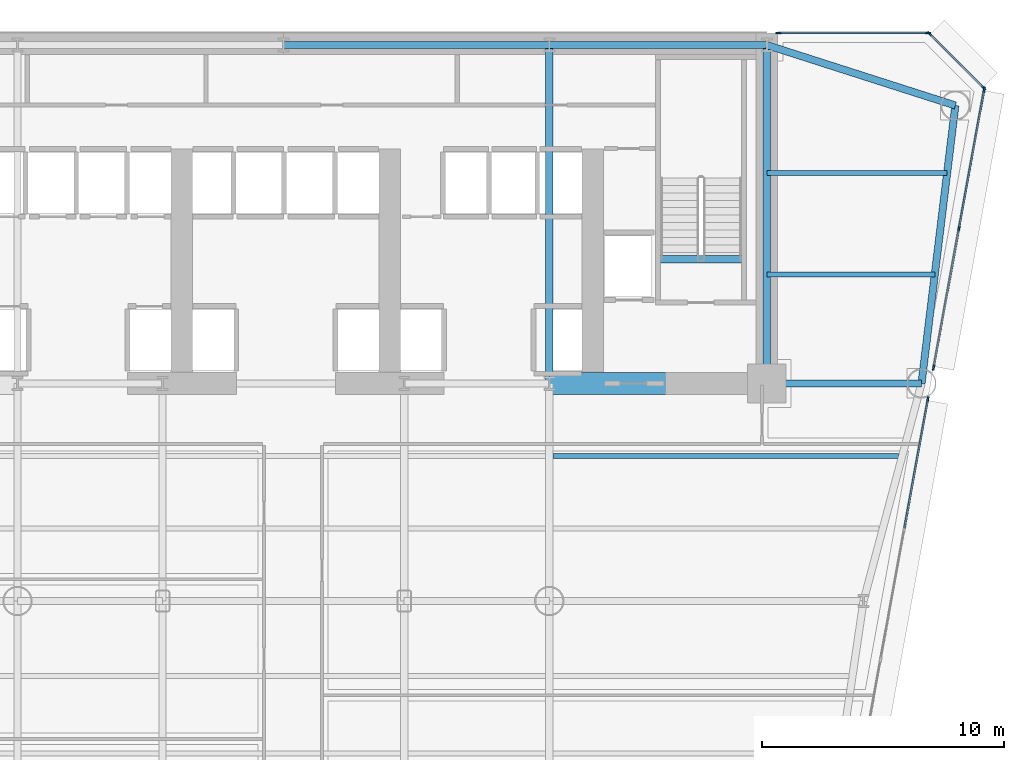
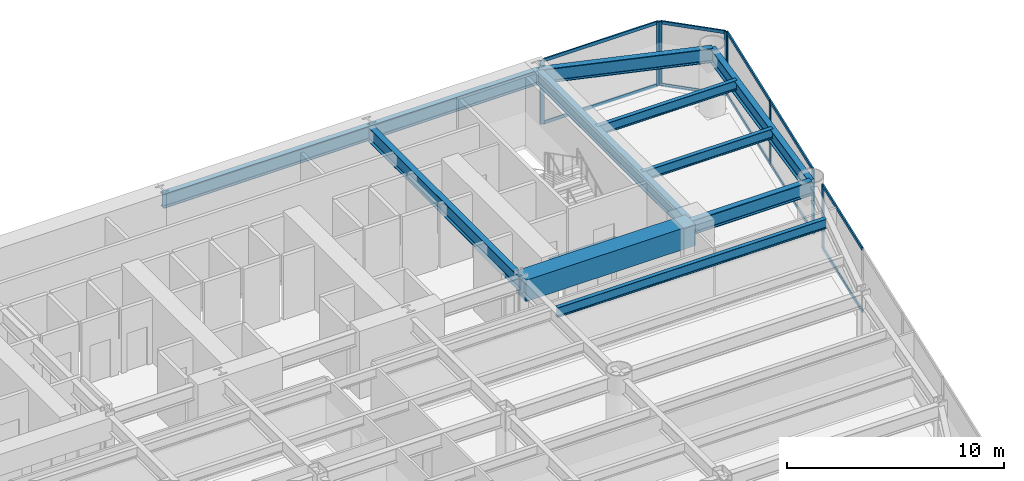
# One storey, part 6 of 14: 18 members, 12 beams, 4 elements without a shape of their own.
"""IFC4 building model written with IfcOpenShell, lengths in metres."""

from ifc_helpers import new_model, si_unit, direction, frame, origin, origin_2d, place, context, subcontext, project, spatial, rectangle, i_section, extrude, source, transform, mapped, material, layer, layer_set, material_profile, profile_set, type_object, element, aggregate, save


model = new_model("IFC4")

# Units and contexts
model_context = context("Model", 3, precision=1e-05, world=origin(), true_north=direction((0.0, 1.0)))
body_context = subcontext(model_context, "Body", "Model", "MODEL_VIEW")
ifc_project = project(units=[si_unit("LENGTHUNIT", "METRE"), si_unit("AREAUNIT", "SQUARE_METRE"), si_unit("VOLUMEUNIT", "CUBIC_METRE"), si_unit("PLANEANGLEUNIT", "RADIAN"), si_unit("MASSUNIT", "GRAM", prefix="KILO")], contexts=[model_context])

# Site, building, storey
site_placement = place(None, origin())
site = spatial("IfcSite", under=ifc_project, at=site_placement, CompositionType="ELEMENT")
building_placement = place(site_placement, origin())
building = spatial("IfcBuilding", under=site, at=building_placement, Name="Vaeldorn Concourse Tower", CompositionType="ELEMENT")
storey_placement = place(building_placement, frame((0.0, 0.0, 37.800048828125)))
storey = spatial("IfcBuildingStorey", under=building, at=storey_placement, Name="L09", CompositionType="ELEMENT", Elevation=37.800048828125)

# Beams
ifc_material_1 = material(Name="Concrete C60/75", Category="concrete")
ifc_material_profile_1 = material_profile(ifc_material_1, rectangle(XDim=0.89990234375, YDim=1.199951171875, at=origin_2d()), Name="RC 900x1200")
ifc_profile_set_1 = profile_set([ifc_material_profile_1], Name="Concrete C60/75")
beam_type_1 = type_object("IfcBeamType", Name="BM-CB-RC900", PredefinedType="BEAM", material=ifc_profile_set_1)
shared_shape_1 = source(origin(), body_context, "Body", "SweptSolid", [
    extrude(rectangle(XDim=0.89990234375, YDim=1.199951171875, at=origin_2d()), origin(), (0.0, 0.0, 1.0), 9.0),
])
beam_1_placement = place(storey_placement, frame((45.0, 36.5, 2.97998046875), z_axis=(1.0, 0.0, 0.0), x_axis=(0.0, 1.0, 0.0)))
element("IfcBeam", 1, at=beam_1_placement, inside=storey, type_object=beam_type_1, Name="Core Coupling Beam L09-2", PredefinedType="BEAM", context=body_context, shape_type="MappedRepresentation", body=[
    mapped(shared_shape_1, transform((0.0, 0.0, 0.0), scale=1.0)),
])
ifc_material_2 = material(Name="Steel S355", Category="steel")
ifc_material_profile_2 = material_profile(ifc_material_2, i_section(OverallWidth=0.300048828125, OverallDepth=0.340087890625, WebThickness=0.011962890625, FlangeThickness=0.021484375, FilletRadius=0.027099609375, at=origin_2d()), Name="HEB 340")
ifc_profile_set_2 = profile_set([ifc_material_profile_2], Name="Steel S355")
beam_type_2 = type_object("IfcBeamType", Name="BM-ST-TRIM", PredefinedType="BEAM", material=ifc_profile_set_2)
shared_shape_2 = source(origin(), body_context, "Body", "SweptSolid", [
    extrude(i_section(OverallWidth=0.300048828125, OverallDepth=0.340087890625, WebThickness=0.011962890625, FlangeThickness=0.021484375, FilletRadius=0.027099609375, at=origin_2d()), origin(), (0.0, 0.0, 1.0), 3.590087890625),
])
beam_2_placement = place(storey_placement, frame((49.47998046875, 41.639892578125, -0.39013671875), z_axis=(1.0, 0.0, 0.0), x_axis=(0.0, 1.0, 0.0)))
element("IfcBeam", 2, at=beam_2_placement, inside=storey, type_object=beam_type_2, Name="Stair Landing Trimmer Beam ST-2 L09", PredefinedType="BEAM", context=body_context, shape_type="MappedRepresentation", body=[
    mapped(shared_shape_2, transform((0.0, 0.0, 0.0), scale=1.0)),
])
ifc_material_profile_3 = material_profile(ifc_material_2, i_section(OverallWidth=0.300048828125, OverallDepth=0.800048828125, WebThickness=0.017578125, FlangeThickness=0.032958984375, FilletRadius=0.030029296875, at=origin_2d()), Name="HEB 800")
ifc_profile_set_3 = profile_set([ifc_material_profile_3], Name="Steel S355")
beam_type_3 = type_object("IfcBeamType", Name="BM-PG-HEB800", PredefinedType="BEAM", material=ifc_profile_set_3)
shared_shape_3 = source(origin(), body_context, "Body", "SweptSolid", [
    extrude(i_section(OverallWidth=0.300048828125, OverallDepth=0.800048828125, WebThickness=0.017578125, FlangeThickness=0.032958984375, FilletRadius=0.030029296875, at=origin_2d()), origin(), (0.0, 0.0, 1.0), 9.0),
])
beam_3_placement = place(storey_placement, frame((45.0, 50.5, 3.179931640625), z_axis=(1.0, 0.0, 0.0), x_axis=(0.0, 1.0, 0.0)))
element("IfcBeam", 3, at=beam_3_placement, inside=storey, type_object=beam_type_3, Name="Beam BM-L09-C-HC4-C-HC5", PredefinedType="BEAM", context=body_context, shape_type="MappedRepresentation", body=[
    mapped(shared_shape_3, transform((0.0, 0.0, 0.0), scale=1.0)),
])
shared_shape_4 = source(origin(), body_context, "Body", "SweptSolid", [
    extrude(i_section(OverallWidth=0.300048828125, OverallDepth=0.800048828125, WebThickness=0.017578125, FlangeThickness=0.032958984375, FilletRadius=0.030029296875, at=origin_2d()), origin(), (0.0, 0.0, 1.0), 11.0),
])
beam_4_placement = place(storey_placement, frame((34.0, 50.5, 3.179931640625), z_axis=(1.0, 0.0, 0.0), x_axis=(0.0, 1.0, 0.0)))
element("IfcBeam", 4, at=beam_4_placement, inside=storey, type_object=beam_type_3, Name="Beam BM-L09-C-HC3-C-HC4", PredefinedType="BEAM", context=body_context, shape_type="MappedRepresentation", body=[
    mapped(shared_shape_4, transform((0.0, 0.0, 0.0), scale=1.0)),
])
shared_shape_5 = source(origin(), body_context, "Body", "SweptSolid", [
    extrude(i_section(OverallWidth=0.300048828125, OverallDepth=0.800048828125, WebThickness=0.017578125, FlangeThickness=0.032958984375, FilletRadius=0.030029296875, at=origin_2d()), origin(), (0.0, 0.0, 1.0), 14.0),
])
for number, where, z_axis, x_axis, name in (
    (5, (45.0, 36.5, 3.179931640625), (0.0, 1.0, 0.0), (-1.0, 0.0, 0.0), "Beam BM-L09-C-FC5-C-HC4"),
    (6, (54.0, 36.5, 3.179931640625), (0.0, 1.0, 0.0), (-1.0, 0.0, 0.0), "Beam BM-L09-C-FC6-C-HC5"),
):
    element("IfcBeam", number, at=place(storey_placement, frame(where, z_axis=z_axis, x_axis=x_axis)), inside=storey, type_object=beam_type_3, Name=name, PredefinedType="BEAM", context=body_context, shape_type="MappedRepresentation", body=[
        mapped(shared_shape_5, transform((0.0, 0.0, 0.0), scale=1.0)),
    ])
shared_shape_6 = source(origin(), body_context, "Body", "SweptSolid", [
    extrude(i_section(OverallWidth=0.300048828125, OverallDepth=0.800048828125, WebThickness=0.017578125, FlangeThickness=0.032958984375, FilletRadius=0.030029296875, at=origin_2d()), origin(), (0.0, 0.0, 1.0), 8.19091796875),
])
beam_5_placement = place(storey_placement, frame((54.0, 50.5, 3.179931640625), z_axis=(0.952282843383, -0.305216949396, 0.0), x_axis=(0.305216949396, 0.952282843383, 0.0)))
element("IfcBeam", 7, at=beam_5_placement, inside=storey, type_object=beam_type_3, Name="Beam BM-L09-C-HC5-C-NE1", PredefinedType="BEAM", context=body_context, shape_type="MappedRepresentation", body=[
    mapped(shared_shape_6, transform((0.0, 0.0, 0.0), scale=1.0)),
])
shared_shape_7 = source(origin(), body_context, "Body", "SweptSolid", [
    extrude(i_section(OverallWidth=0.300048828125, OverallDepth=0.800048828125, WebThickness=0.017578125, FlangeThickness=0.032958984375, FilletRadius=0.030029296875, at=origin_2d()), origin(), (0.0, 0.0, 1.0), 11.5849609375),
])
beam_6_placement = place(storey_placement, frame((61.800048828125, 48.0, 3.179931640625), z_axis=(-0.120859382899, -0.992669637677, 0.0), x_axis=(0.992669637677, -0.120859382899, 0.0)))
element("IfcBeam", 8, at=beam_6_placement, inside=storey, type_object=beam_type_3, Name="Beam BM-L09-C-NE1-C-NE2", PredefinedType="BEAM", context=body_context, shape_type="MappedRepresentation", body=[
    mapped(shared_shape_7, transform((0.0, 0.0, 0.0), scale=1.0)),
])
shared_shape_8 = source(origin(), body_context, "Body", "SweptSolid", [
    extrude(i_section(OverallWidth=0.300048828125, OverallDepth=0.800048828125, WebThickness=0.017578125, FlangeThickness=0.032958984375, FilletRadius=0.030029296875, at=origin_2d()), origin(), (0.0, 0.0, 1.0), 6.39990234375),
])
beam_7_placement = place(storey_placement, frame((54.0, 36.5, 3.179931640625), z_axis=(1.0, 0.0, 0.0), x_axis=(0.0, 1.0, 0.0)))
element("IfcBeam", 9, at=beam_7_placement, inside=storey, type_object=beam_type_3, Name="Beam BM-L09-C-FC6-C-NE2", PredefinedType="BEAM", context=body_context, shape_type="MappedRepresentation", body=[
    mapped(shared_shape_8, transform((0.0, 0.0, 0.0), scale=1.0)),
])
ifc_material_profile_4 = material_profile(ifc_material_2, i_section(OverallWidth=0.2099609375, OverallDepth=0.550048828125, WebThickness=0.010986328125, FlangeThickness=0.01708984375, FilletRadius=0.02392578125, at=origin_2d()), Name="IPE 550")
ifc_profile_set_4 = profile_set([ifc_material_profile_4], Name="Steel S355")
beam_type_4 = type_object("IfcBeamType", Name="BM-JS-IPE550", PredefinedType="JOIST", material=ifc_profile_set_4)
shared_shape_9 = source(origin(), body_context, "Body", "SweptSolid", [
    extrude(i_section(OverallWidth=0.2099609375, OverallDepth=0.550048828125, WebThickness=0.010986328125, FlangeThickness=0.01708984375, FilletRadius=0.02392578125, at=origin_2d()), origin(), (0.0, 0.0, 1.0), 14.300048828125),
])
beam_8_placement = place(storey_placement, frame((45.14990234375, 33.5, 3.304931640625), z_axis=(1.0, 0.0, 0.0), x_axis=(0.0, 1.0, 0.0)))
element("IfcBeam", 10, at=beam_8_placement, inside=storey, type_object=beam_type_4, Name="Beam JS-L09-E1-335", PredefinedType="JOIST", context=body_context, shape_type="MappedRepresentation", body=[
    mapped(shared_shape_9, transform((0.0, 0.0, 0.0), scale=1.0)),
])
shared_shape_10 = source(origin(), body_context, "Body", "SweptSolid", [
    extrude(i_section(OverallWidth=0.2099609375, OverallDepth=0.550048828125, WebThickness=0.010986328125, FlangeThickness=0.01708984375, FilletRadius=0.02392578125, at=origin_2d()), origin(), (0.0, 0.0, 1.0), 6.94775390625),
])
beam_9_placement = place(storey_placement, frame((54.0, 41.0, 3.304931640625), z_axis=(1.0, 0.0, 0.0), x_axis=(0.0, 1.0, 0.0)))
element("IfcBeam", 11, at=beam_9_placement, inside=storey, type_object=beam_type_4, Name="Beam JS-L09-NE-410", PredefinedType="JOIST", context=body_context, shape_type="MappedRepresentation", body=[
    mapped(shared_shape_10, transform((0.0, 0.0, 0.0), scale=1.0)),
])
shared_shape_11 = source(origin(), body_context, "Body", "SweptSolid", [
    extrude(i_section(OverallWidth=0.2099609375, OverallDepth=0.550048828125, WebThickness=0.010986328125, FlangeThickness=0.01708984375, FilletRadius=0.02392578125, at=origin_2d()), origin(), (0.0, 0.0, 1.0), 7.458984375),
])
beam_10_placement = place(storey_placement, frame((54.0, 45.199951171875, 3.304931640625), z_axis=(1.0, 0.0, 0.0), x_axis=(0.0, 1.0, 0.0)))
element("IfcBeam", 12, at=beam_10_placement, inside=storey, type_object=beam_type_4, Name="Beam JS-L09-NE-452", PredefinedType="JOIST", context=body_context, shape_type="MappedRepresentation", body=[
    mapped(shared_shape_11, transform((0.0, 0.0, 0.0), scale=1.0)),
])

# Curtain wall, member
ifc_material_3 = material(Name="Anodised Bronze Aluminium", Category="aluminium")
ifc_layer = layer(ifc_material_3, 0.219970703125)
ifc_layer_set = layer_set([ifc_layer], Name="Anodised Bronze Aluminium")
curtain_wall_type = type_object("IfcCurtainWallType", Name="CW-SYS-01", PredefinedType="NOTDEFINED", material=ifc_layer_set)
curtain_wall_1_placement = place(storey_placement, origin())
curtain_wall_1 = element("IfcCurtainWall", 13, at=curtain_wall_1_placement, inside=storey, type_object=curtain_wall_type, Name="Unitised Curtain Wall CW-L09-E07-1", PredefinedType="NOTDEFINED")
ifc_material_profile_5 = material_profile(ifc_material_3, rectangle(XDim=0.074951171875, YDim=0.219970703125, at=origin_2d()), Name="CWM 75x220")
ifc_profile_set_5 = profile_set([ifc_material_profile_5], Name="Anodised Bronze Aluminium")
member_type_1 = type_object("IfcMemberType", Name="CWM-BRONZE-220", PredefinedType="MULLION", material=ifc_profile_set_5)
shared_shape_12 = source(origin(), body_context, "Body", "SweptSolid", [
    extrude(rectangle(XDim=0.074951171875, YDim=0.219970703125, at=origin_2d()), origin(), (0.0, 0.0, 1.0), 3.579833984375),
])
member_1_placement = place(storey_placement, frame((60.662841796875, 35.843505859375, 0.0), z_axis=(0.0, 0.0, 1.0), x_axis=(-0.98387472201, 0.178858970673, 0.0)))
member_1 = element("IfcMember", 14, at=member_1_placement, type_object=member_type_1, Name="CW-01 mullion 7", PredefinedType="MULLION", context=body_context, shape_type="MappedRepresentation", body=[
    mapped(shared_shape_12, transform((0.0, 0.0, 0.0), scale=1.0)),
])

# Curtain wall, members
curtain_wall_2_placement = place(storey_placement, origin())
curtain_wall_2 = element("IfcCurtainWall", 15, at=curtain_wall_2_placement, inside=storey, type_object=curtain_wall_type, Name="Unitised Curtain Wall CW-L09-E07-2", PredefinedType="NOTDEFINED")
member_2_placement = place(storey_placement, frame((60.901611328125, 37.156494140625, 0.0), z_axis=(0.0, 0.0, 1.0), x_axis=(-0.983875075235, 0.178857027626, 0.0)))
member_2 = element("IfcMember", 16, at=member_2_placement, type_object=member_type_1, Name="CW-01 mullion 1", PredefinedType="MULLION", context=body_context, shape_type="MappedRepresentation", body=[
    mapped(shared_shape_12, transform((0.0, 0.0, 0.0), scale=1.0)),
])
member_3_placement = place(storey_placement, frame((61.947509765625, 42.90966796875, 0.0), z_axis=(0.0, 0.0, 1.0), x_axis=(-0.983875075235, 0.178857027626, 0.0)))
member_3 = element("IfcMember", 17, at=member_3_placement, type_object=member_type_1, Name="CW-01 mullion 2", PredefinedType="MULLION", context=body_context, shape_type="MappedRepresentation", body=[
    mapped(shared_shape_12, transform((0.0, 0.0, 0.0), scale=1.0)),
])
member_4_placement = place(storey_placement, frame((62.993408203125, 48.6630859375, 0.0), z_axis=(0.0, 0.0, 1.0), x_axis=(-0.983875075235, 0.178857027626, 0.0)))
member_4 = element("IfcMember", 18, at=member_4_placement, type_object=member_type_1, Name="CW-01 mullion 3", PredefinedType="MULLION", context=body_context, shape_type="MappedRepresentation", body=[
    mapped(shared_shape_12, transform((0.0, 0.0, 0.0), scale=1.0)),
])

curtain_wall_3_placement = place(storey_placement, origin())
curtain_wall_3 = element("IfcCurtainWall", 19, at=curtain_wall_3_placement, inside=storey, type_object=curtain_wall_type, Name="Unitised Curtain Wall CW-L09-E08-1", PredefinedType="NOTDEFINED")
member_5_placement = place(storey_placement, frame((62.973388671875, 48.7265625, 0.0), z_axis=(0.0, 0.0, 1.0), x_axis=(-0.707106781187, -0.707106781187, 0.0)))
member_5 = element("IfcMember", 20, at=member_5_placement, type_object=member_type_1, Name="CW-01 mullion 1", PredefinedType="MULLION", context=body_context, shape_type="MappedRepresentation", body=[
    mapped(shared_shape_12, transform((0.0, 0.0, 0.0), scale=1.0)),
])
member_6_placement = place(storey_placement, frame((60.7265625, 50.973388671875, 0.0), z_axis=(0.0, 0.0, 1.0), x_axis=(-0.707106781187, -0.707106781187, 0.0)))
member_6 = element("IfcMember", 21, at=member_6_placement, type_object=member_type_1, Name="CW-01 mullion 2", PredefinedType="MULLION", context=body_context, shape_type="MappedRepresentation", body=[
    mapped(shared_shape_12, transform((0.0, 0.0, 0.0), scale=1.0)),
])

curtain_wall_4_placement = place(storey_placement, origin())
curtain_wall_4 = element("IfcCurtainWall", 22, at=curtain_wall_4_placement, inside=storey, type_object=curtain_wall_type, Name="Unitised Curtain Wall CW-L09-E09-1", PredefinedType="NOTDEFINED")
member_7_placement = place(storey_placement, frame((60.66259765625, 51.0, 0.0), z_axis=(0.0, 0.0, 1.0), x_axis=(0.0, -1.0, 0.0)))
member_7 = element("IfcMember", 23, at=member_7_placement, type_object=member_type_1, Name="CW-01 mullion 1", PredefinedType="MULLION", context=body_context, shape_type="MappedRepresentation", body=[
    mapped(shared_shape_12, transform((0.0, 0.0, 0.0), scale=1.0)),
])
member_8_placement = place(storey_placement, frame((54.482421875, 51.0, 0.0), z_axis=(0.0, 0.0, 1.0), x_axis=(0.0, -1.0, 0.0)))
member_8 = element("IfcMember", 24, at=member_8_placement, type_object=member_type_1, Name="CW-01 mullion 2", PredefinedType="MULLION", context=body_context, shape_type="MappedRepresentation", body=[
    mapped(shared_shape_12, transform((0.0, 0.0, 0.0), scale=1.0)),
])

# Member
ifc_material_profile_6 = material_profile(ifc_material_3, rectangle(XDim=0.074951171875, YDim=0.179931640625, at=origin_2d()), Name="CWT 75x180")
ifc_profile_set_6 = profile_set([ifc_material_profile_6], Name="Anodised Bronze Aluminium")
member_type_2 = type_object("IfcMemberType", Name="CWT-BRONZE-180", PredefinedType="USERDEFINED", material=ifc_profile_set_6)
shared_shape_13 = source(origin(), body_context, "Body", "SweptSolid", [
    extrude(rectangle(XDim=0.074951171875, YDim=0.179931640625, at=origin_2d()), origin(), (0.0, 0.0, 1.0), 3.10302734375),
])
member_9_placement = place(storey_placement, frame((62.947021484375, 48.7529296875, 0.037353515625), z_axis=(-0.707106781187, 0.707106781187, 0.0), x_axis=(-0.707106781187, -0.707106781187, 0.0)))
member_9 = element("IfcMember", 25, at=member_9_placement, type_object=member_type_2, Name="CW-01 transom 1.1", ObjectType="TRANSOM", PredefinedType="USERDEFINED", context=body_context, shape_type="MappedRepresentation", body=[
    mapped(shared_shape_13, transform((0.0, 0.0, 0.0), scale=1.0)),
])

member_10_placement = place(storey_placement, frame((62.947021484375, 48.7529296875, 3.54248046875), z_axis=(-0.707106781187, 0.707106781187, 0.0), x_axis=(-0.707106781187, -0.707106781187, 0.0)))
member_10 = element("IfcMember", 26, at=member_10_placement, type_object=member_type_2, Name="CW-01 transom 1.2", ObjectType="TRANSOM", PredefinedType="USERDEFINED", context=body_context, shape_type="MappedRepresentation", body=[
    mapped(shared_shape_13, transform((0.0, 0.0, 0.0), scale=1.0)),
])

aggregate(curtain_wall_3, [member_5, member_6, member_9, member_10])

shared_shape_14 = source(origin(), body_context, "Body", "SweptSolid", [
    extrude(rectangle(XDim=0.074951171875, YDim=0.179931640625, at=origin_2d()), origin(), (0.0, 0.0, 1.0), 6.10498046875),
])
member_11_placement = place(storey_placement, frame((60.625, 51.0, 0.037353515625), z_axis=(-1.0, 0.0, 0.0), x_axis=(0.0, -1.0, 0.0)))
member_11 = element("IfcMember", 27, at=member_11_placement, type_object=member_type_2, Name="CW-01 transom 1.1", ObjectType="TRANSOM", PredefinedType="USERDEFINED", context=body_context, shape_type="MappedRepresentation", body=[
    mapped(shared_shape_14, transform((0.0, 0.0, 0.0), scale=1.0)),
])

member_12_placement = place(storey_placement, frame((60.625, 51.0, 3.54248046875), z_axis=(-1.0, 0.0, 0.0), x_axis=(0.0, -1.0, 0.0)))
member_12 = element("IfcMember", 28, at=member_12_placement, type_object=member_type_2, Name="CW-01 transom 1.2", ObjectType="TRANSOM", PredefinedType="USERDEFINED", context=body_context, shape_type="MappedRepresentation", body=[
    mapped(shared_shape_14, transform((0.0, 0.0, 0.0), scale=1.0)),
])

aggregate(curtain_wall_4, [member_7, member_8, member_11, member_12])

shared_shape_15 = source(origin(), body_context, "Body", "SweptSolid", [
    extrude(rectangle(XDim=0.074951171875, YDim=0.179931640625, at=origin_2d()), origin(), (0.0, 0.0, 1.0), 5.7724609375),
])
member_13_placement = place(storey_placement, frame((60.908203125, 37.193359375, 0.037353515625), z_axis=(0.178859385316, 0.983874646632, 0.0), x_axis=(-0.983874646632, 0.178859385316, 0.0)))
member_13 = element("IfcMember", 29, at=member_13_placement, type_object=member_type_2, Name="CW-01 transom 1.1", ObjectType="TRANSOM", PredefinedType="USERDEFINED", context=body_context, shape_type="MappedRepresentation", body=[
    mapped(shared_shape_15, transform((0.0, 0.0, 0.0), scale=1.0)),
])

member_14_placement = place(storey_placement, frame((60.908203125, 37.193359375, 3.54248046875), z_axis=(0.178859385316, 0.983874646632, 0.0), x_axis=(-0.983874646632, 0.178859385316, 0.0)))
member_14 = element("IfcMember", 30, at=member_14_placement, type_object=member_type_2, Name="CW-01 transom 1.2", ObjectType="TRANSOM", PredefinedType="USERDEFINED", context=body_context, shape_type="MappedRepresentation", body=[
    mapped(shared_shape_15, transform((0.0, 0.0, 0.0), scale=1.0)),
])

shared_shape_16 = source(origin(), body_context, "Body", "SweptSolid", [
    extrude(rectangle(XDim=0.074951171875, YDim=0.179931640625, at=origin_2d()), origin(), (0.0, 0.0, 1.0), 5.772705078125),
])
member_15_placement = place(storey_placement, frame((61.9541015625, 42.946533203125, 0.037353515625), z_axis=(0.178851943006, 0.983875999546, 0.0), x_axis=(-0.983875999546, 0.178851943006, 0.0)))
member_15 = element("IfcMember", 31, at=member_15_placement, type_object=member_type_2, Name="CW-01 transom 2.1", ObjectType="TRANSOM", PredefinedType="USERDEFINED", context=body_context, shape_type="MappedRepresentation", body=[
    mapped(shared_shape_16, transform((0.0, 0.0, 0.0), scale=1.0)),
])

member_16_placement = place(storey_placement, frame((61.9541015625, 42.946533203125, 3.54248046875), z_axis=(0.178851943006, 0.983875999546, 0.0), x_axis=(-0.983875999546, 0.178851943006, 0.0)))
member_16 = element("IfcMember", 32, at=member_16_placement, type_object=member_type_2, Name="CW-01 transom 2.2", ObjectType="TRANSOM", PredefinedType="USERDEFINED", context=body_context, shape_type="MappedRepresentation", body=[
    mapped(shared_shape_16, transform((0.0, 0.0, 0.0), scale=1.0)),
])

aggregate(curtain_wall_2, [member_2, member_3, member_4, member_13, member_14, member_15, member_16])

shared_shape_17 = source(origin(), body_context, "Body", "SweptSolid", [
    extrude(rectangle(XDim=0.074951171875, YDim=0.179931640625, at=origin_2d()), origin(), (0.0, 0.0, 1.0), 5.37353515625),
])
member_17_placement = place(storey_placement, frame((59.695068359375, 30.519775390625, 0.037353515625), z_axis=(0.178829462835, 0.983880085794, 0.0), x_axis=(-0.983880085794, 0.178829462835, 0.0)))
member_17 = element("IfcMember", 33, at=member_17_placement, type_object=member_type_2, Name="CW-01 transom 6.1", ObjectType="TRANSOM", PredefinedType="USERDEFINED", context=body_context, shape_type="MappedRepresentation", body=[
    mapped(shared_shape_17, transform((0.0, 0.0, 0.0), scale=1.0)),
])

member_18_placement = place(storey_placement, frame((59.695068359375, 30.519775390625, 3.54248046875), z_axis=(0.178829462835, 0.983880085794, 0.0), x_axis=(-0.983880085794, 0.178829462835, 0.0)))
member_18 = element("IfcMember", 34, at=member_18_placement, type_object=member_type_2, Name="CW-01 transom 6.2", ObjectType="TRANSOM", PredefinedType="USERDEFINED", context=body_context, shape_type="MappedRepresentation", body=[
    mapped(shared_shape_17, transform((0.0, 0.0, 0.0), scale=1.0)),
])

aggregate(curtain_wall_1, [member_1, member_17, member_18])

save(model, "model.ifc")
